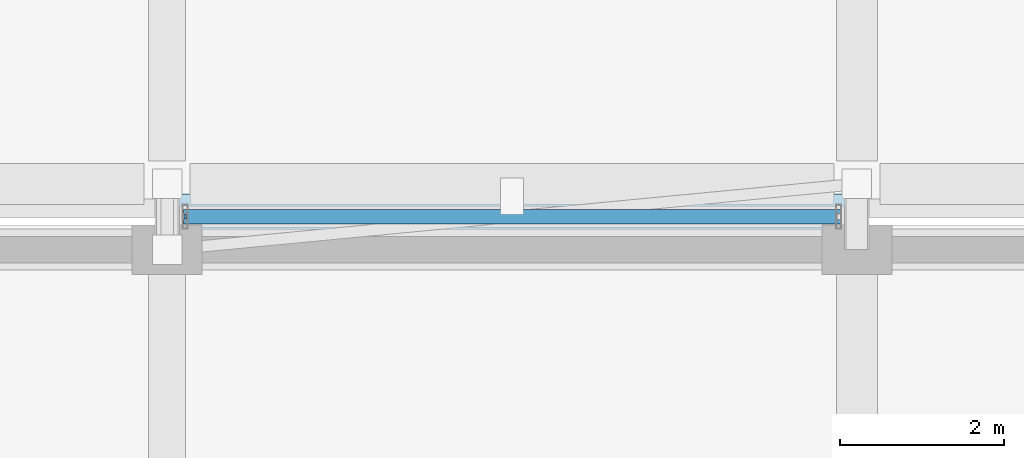
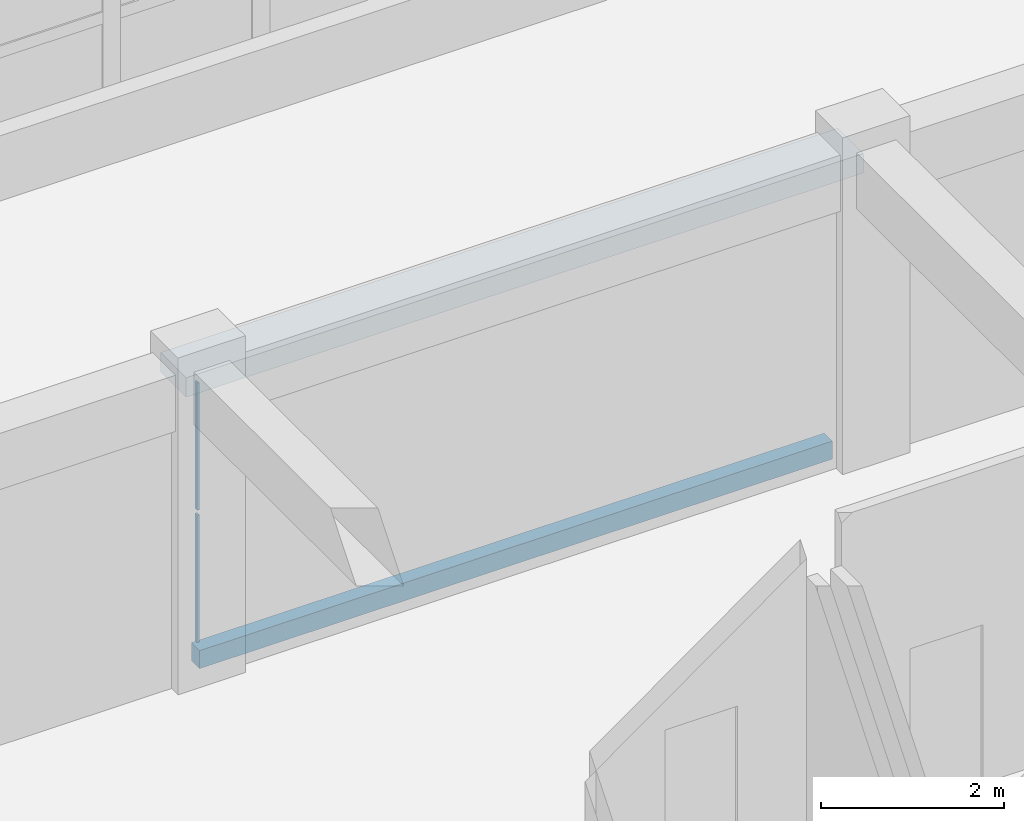
# One storey, part 85 of 129: 2 plates, 2 slabs, 1 element without a shape of its own.
"""IFC4 building model written with IfcOpenShell, lengths in metres."""

import ifcopenshell
import ifcopenshell.guid

model = None  # the IFC model being written
_history = None  # IfcOwnerHistory: only IFC2X3 demands one
_inside = {}  # id of a spatial element -> (the spatial element, [elements in it])
_under = {}  # id of a project, library or spatial element -> (it, [spatial elements below it])
_declared = {}  # id of a project -> (the project, [libraries it declares])
_typed = {}  # id of a type object -> (the type object, [elements of that type])
_made_of = {}  # id of a material, layer set ... -> (it, [elements and type objects made of it])


def new_model(schema):
    """Start an empty IFC model of exactly this schema.

    Asked for "IFC4X3", IfcOpenShell would pick the latest addendum, in which some entities
    have other attributes; the version numbers below select the first issue.
    IFC2X3 requires an IfcOwnerHistory on every rooted entity: one is made here for all.
    """
    global model, _history
    if schema == "IFC4X3":
        model = ifcopenshell.file(schema_version=(4, 3, 0, 0))
    else:
        model = ifcopenshell.file(schema=schema)
    _inside.clear()
    _under.clear()
    _declared.clear()
    _typed.clear()
    _made_of.clear()
    _history = None
    if model.schema == "IFC2X3":
        org = make("IfcOrganization", Name="unknown")
        user = make(
            "IfcPersonAndOrganization",
            ThePerson=make("IfcPerson", FamilyName="unknown"),
            TheOrganization=org,
        )
        app = make(
            "IfcApplication",
            ApplicationDeveloper=org,
            Version="unknown",
            ApplicationFullName="unknown",
            ApplicationIdentifier="unknown",
        )
        _history = make(
            "IfcOwnerHistory",
            OwningUser=user,
            OwningApplication=app,
            ChangeAction="ADDED",
            CreationDate=0,
        )
    return model


def make(cls, **values):
    """One entity of the class cls with the attributes given. An attribute that is None is left unset."""
    return model.create_entity(
        cls, **{name: value for name, value in values.items() if value is not None}
    )


def rooted(cls, **values):
    """An entity with a GlobalId (a new one), such as an element, a storey or a relation."""
    return make(cls, GlobalId=ifcopenshell.guid.new(), OwnerHistory=_history, **values)


def si_unit(unit_type, name, prefix=None):
    """IfcSIUnit, for example si_unit("LENGTHUNIT", "METRE", prefix="MILLI")."""
    return make("IfcSIUnit", UnitType=unit_type, Prefix=prefix, Name=name)


def assignment(units):
    """IfcUnitAssignment: the units of a project."""
    return None if units is None else make("IfcUnitAssignment", Units=units)


def point(xyz):
    """IfcCartesianPoint."""
    return None if xyz is None else make("IfcCartesianPoint", Coordinates=xyz)


def direction(xyz):
    """IfcDirection."""
    return None if xyz is None else make("IfcDirection", DirectionRatios=xyz)


def frame(location, z_axis=None, x_axis=None):
    """IfcAxis2Placement3D, a coordinate frame: its origin and axes. An axis left out is left unset."""
    return make(
        "IfcAxis2Placement3D",
        Location=point(location),
        Axis=direction(z_axis),
        RefDirection=direction(x_axis),
    )


def frame_2d(location, x_axis=None):
    """IfcAxis2Placement2D, a coordinate frame in the plane: its origin and x axis."""
    return make(
        "IfcAxis2Placement2D", Location=point(location), RefDirection=direction(x_axis)
    )


def origin():
    """The frame at (0, 0, 0) with its axes left unset."""
    return frame((0.0, 0.0, 0.0))


def origin_2d():
    """The frame at (0, 0) in the plane with its x axis left unset."""
    return frame_2d((0.0, 0.0))


def place(relative_to, where):
    """IfcLocalPlacement: puts the frame where relative to a parent placement (None: the world)."""
    return make(
        "IfcLocalPlacement", PlacementRelTo=relative_to, RelativePlacement=where
    )


def context(
    kind, dimensions, precision=None, world=None, true_north=None, identifier=None
):
    """IfcGeometricRepresentationContext, for example the 3D "Model" context."""
    return make(
        "IfcGeometricRepresentationContext",
        ContextIdentifier=identifier,
        ContextType=kind,
        CoordinateSpaceDimension=dimensions,
        Precision=precision,
        WorldCoordinateSystem=world,
        TrueNorth=true_north,
    )


def subcontext(parent, identifier, kind, view, scale=None):
    """IfcGeometricRepresentationSubContext, for example "Body" below "Model"."""
    return make(
        "IfcGeometricRepresentationSubContext",
        ContextIdentifier=identifier,
        ContextType=kind,
        ParentContext=parent,
        TargetScale=scale,
        TargetView=view,
    )


def project(units=None, contexts=None):
    """IfcProject with its units and contexts."""
    return rooted(
        "IfcProject",
        Name="project",
        RepresentationContexts=contexts,
        UnitsInContext=assignment(units),
    )


def spatial(cls, under=None, at=None, **own):
    """A site, building, storey or space (cls), placed at a placement, below another one or the project."""
    s = rooted(cls, ObjectPlacement=at, **own)
    if under is not None:
        _under.setdefault(under.id(), (under, []))[1].append(s)
    return s


def polyline(points):
    """IfcPolyline through the points."""
    return make("IfcPolyline", Points=[point(p) for p in points])


def profile(cls, at=None, kind="AREA", **sizes):
    """A parametric profile (cls). Its sizes go by their IFC names, for example OverallWidth=200.0."""
    return make(cls, ProfileType=kind, Position=at, **sizes)


def rectangle(**sizes):
    """IfcRectangleProfileDef."""
    return profile("IfcRectangleProfileDef", **sizes)


def outline(outer, holes=None, kind="AREA"):
    """IfcArbitraryClosedProfileDef: a profile drawn as a closed curve; with holes, ...WithVoids."""
    if holes is None:
        return make("IfcArbitraryClosedProfileDef", ProfileType=kind, OuterCurve=outer)
    return make(
        "IfcArbitraryProfileDefWithVoids",
        ProfileType=kind,
        OuterCurve=outer,
        InnerCurves=holes,
    )


def extrude(swept, where, along, depth):
    """IfcExtrudedAreaSolid: the profile swept, set in the frame where, extruded along a direction by depth."""
    return make(
        "IfcExtrudedAreaSolid",
        SweptArea=swept,
        Position=where,
        ExtrudedDirection=direction(along),
        Depth=depth,
    )


def shape(context_of_items, identifier, shape_type, items):
    """IfcShapeRepresentation: the items that make up one representation, for example the "Body"."""
    return make(
        "IfcShapeRepresentation",
        ContextOfItems=context_of_items,
        RepresentationIdentifier=identifier,
        RepresentationType=shape_type,
        Items=items,
    )


def material(Name=None, Category=None):
    """IfcMaterial."""
    return make("IfcMaterial", Name=Name, Category=Category)


def layer(
    of_material, thickness, ventilated=None, Name=None, Category=None, Priority=None
):
    """IfcMaterialLayer: one layer of a wall or slab, of a material (None: an air gap)."""
    return make(
        "IfcMaterialLayer",
        Material=of_material,
        LayerThickness=thickness,
        IsVentilated=ventilated,
        Name=Name,
        Category=Category,
        Priority=Priority,
    )


def layer_set(layers, Name=None):
    """IfcMaterialLayerSet."""
    return make("IfcMaterialLayerSet", MaterialLayers=layers, LayerSetName=Name)


def made_of(thing, what):
    """Note that an element or type object is made of a material, layer set ...; save() writes the relation."""
    if what is not None:
        _made_of.setdefault(what.id(), (what, []))[1].append(thing)
    return thing


def type_object(cls, material=None, **own):
    """A type object (cls), such as IfcWallType, which elements share."""
    return made_of(rooted(cls, **own), material)


def element(
    cls,
    number,
    at=None,
    inside=None,
    cuts=None,
    type_object=None,
    material=None,
    context=None,
    identifier="Body",
    shape_type=None,
    held_by="IfcProductDefinitionShape",
    body=None,
    shapes=None,
    **own,
):
    """One element of the class cls, such as IfcWall. Its Tag is "e" and its number.

    at: its placement. inside: the storey or other place that contains it. cuts: it is an
    opening in that element (IfcRelVoidsElement). A single representation is given by context,
    identifier, shape_type and body (its items); several are given by shapes. held_by: the class
    of the entity that holds the representations. save() writes the other relations.
    """
    e = rooted(cls, Tag="e%d" % number, ObjectPlacement=at, **own)
    if body is not None:
        shapes = [shape(context, identifier, shape_type, body)]
    if shapes is not None:
        e.Representation = make(held_by, Representations=shapes)
    if inside is not None:
        _inside.setdefault(inside.id(), (inside, []))[1].append(e)
    if cuts is not None:
        rooted(
            "IfcRelVoidsElement", RelatingBuildingElement=cuts, RelatedOpeningElement=e
        )
    if type_object is not None:
        _typed.setdefault(type_object.id(), (type_object, []))[1].append(e)
    return made_of(e, material)


def aggregate(whole, parts):
    """IfcRelAggregates: a whole, such as a stair, and the parts it consists of."""
    return rooted("IfcRelAggregates", RelatingObject=whole, RelatedObjects=parts)


def save(model, path):
    """Write the relations noted so far, then the file.

    IfcRelAggregates (storeys below a building ...), IfcRelContainedInSpatialStructure (elements
    in a storey), IfcRelDefinesByType, IfcRelAssociatesMaterial and IfcRelDeclares: one each for
    every whole, place, type object, material and project.
    """
    for whole, parts in _under.values():
        aggregate(whole, parts)
    for where, things in _inside.values():
        rooted(
            "IfcRelContainedInSpatialStructure",
            RelatedElements=things,
            RelatingStructure=where,
        )
    for kind, things in _typed.values():
        rooted("IfcRelDefinesByType", RelatedObjects=things, RelatingType=kind)
    for what, things in _made_of.values():
        rooted("IfcRelAssociatesMaterial", RelatedObjects=things, RelatingMaterial=what)
    for by, libraries in _declared.values():
        rooted("IfcRelDeclares", RelatingContext=by, RelatedDefinitions=libraries)
    model.write(path)


model = new_model("IFC4")

# Units and contexts
model_context = context("Model", 3, precision=1e-05, world=origin(), true_north=direction((0.0, 1.0)))
body_context = subcontext(model_context, "Body", "Model", "MODEL_VIEW")
ifc_project = project(units=[si_unit("LENGTHUNIT", "METRE"), si_unit("AREAUNIT", "SQUARE_METRE"), si_unit("VOLUMEUNIT", "CUBIC_METRE"), si_unit("PLANEANGLEUNIT", "RADIAN"), si_unit("MASSUNIT", "GRAM", prefix="KILO")], contexts=[model_context])

# Site, building, storey
site_placement = place(None, origin())
site = spatial("IfcSite", under=ifc_project, at=site_placement, CompositionType="ELEMENT")
building_placement = place(site_placement, origin())
building = spatial("IfcBuilding", under=site, at=building_placement, Name="Xazarin Passage Department Store", CompositionType="ELEMENT")
storey_placement = place(building_placement, frame((0.0, 0.0, 9.89990234375)))
storey = spatial("IfcBuildingStorey", under=building, at=storey_placement, Name="L02", CompositionType="ELEMENT", Elevation=9.89990234375)

# Curtain wall, plates
ifc_material_1 = material(Name="Bronze anodised aluminium", Category="aluminium")
ifc_layer_1 = layer(ifc_material_1, 0.14990234375)
ifc_layer_set_1 = layer_set([ifc_layer_1], Name="Bronze anodised aluminium")
curtain_wall_type = type_object("IfcCurtainWallType", Name="ARC-CW-BRG1", PredefinedType="NOTDEFINED", material=ifc_layer_set_1)
curtain_wall_placement = place(storey_placement, origin())
curtain_wall = element("IfcCurtainWall", 1, at=curtain_wall_placement, inside=storey, type_object=curtain_wall_type, Name="L02 BR-V1-V3 Bridge Curtain Wall 1", PredefinedType="NOTDEFINED")
ifc_material_2 = material(Name="Low-E laminated safety glass", Category="glass")
ifc_layer_2 = layer(ifc_material_2, 0.028076171875)
ifc_layer_set_2 = layer_set([ifc_layer_2], Name="Low-E laminated safety glass")
plate_type = type_object("IfcPlateType", Name="ARC-CWP-GLZ28", PredefinedType="CURTAIN_PANEL", material=ifc_layer_set_2)
plate_1_placement = place(storey_placement, frame((25.419921875, 50.800048828125, 0.06494140625), z_axis=(0.0, 0.0, 1.0), x_axis=(0.0, 1.0, 0.0)))
plate_1 = element("IfcPlate", 2, at=plate_1_placement, type_object=plate_type, Name="CW7 panel 1.1", PredefinedType="CURTAIN_PANEL", context=body_context, shape_type="SweptSolid", body=[
    extrude(rectangle(XDim=0.050048828125, YDim=0.028076171875, at=origin_2d()), origin(), (0.0, 0.0, 1.0), 1.702392578125),
])
plate_2_placement = place(storey_placement, frame((25.419921875, 50.800048828125, 1.83251953125), z_axis=(0.0, 0.0, 1.0), x_axis=(0.0, 1.0, 0.0)))
plate_2 = element("IfcPlate", 3, at=plate_2_placement, type_object=plate_type, Name="CW7 panel 1.2", PredefinedType="CURTAIN_PANEL", context=body_context, shape_type="SweptSolid", body=[
    extrude(rectangle(XDim=0.050048828125, YDim=0.028076171875, at=origin_2d()), origin(), (0.0, 0.0, 1.0), 1.702392578125),
])
aggregate(curtain_wall, [plate_1, plate_2])

# Slabs
ifc_material_3 = material(Name="Concrete C35/45", Category="concrete")
ifc_layer_3 = layer(ifc_material_3, 0.239990234375)
ifc_layer_set_3 = layer_set([ifc_layer_3], Name="Concrete C35/45")
slab_type_1 = type_object("IfcSlabType", Name="STR-SLB-BRG240", PredefinedType="FLOOR", material=ifc_layer_set_3)
slab_1_placement = place(storey_placement, frame((0.0, 0.0, -0.239990234375)))
element("IfcSlab", 4, at=slab_1_placement, inside=storey, type_object=slab_type_1, Name="L02 BR-V1-V3 Bridge Floor Deck", PredefinedType="FLOOR", context=body_context, shape_type="SweptSolid", body=[
    extrude(outline(polyline([(25.39990234375, 50.7099609375), (33.39990234375, 50.7099609375), (33.39990234375, 50.889892578125), (25.39990234375, 50.889892578125), (25.39990234375, 50.7099609375)])), origin(), (0.0, 0.0, 1.0), 0.239990234375),
])
ifc_layer_4 = layer(ifc_material_3, 0.260009765625)
ifc_layer_set_4 = layer_set([ifc_layer_4], Name="Concrete C35/45")
slab_type_2 = type_object("IfcSlabType", Name="STR-SLB-RF260", PredefinedType="ROOF", material=ifc_layer_set_4)
slab_2_placement = place(storey_placement, frame((0.0, 0.0, 3.60009765625)))
element("IfcSlab", 5, at=slab_2_placement, inside=storey, type_object=slab_type_2, Name="L02 BR-V1-V3 Bridge Roof Deck", PredefinedType="ROOF", context=body_context, shape_type="SweptSolid", body=[
    extrude(outline(polyline([(25.1201171875, 50.52001953125), (33.679931640625, 50.52001953125), (33.679931640625, 51.080078125), (25.1201171875, 51.080078125), (25.1201171875, 50.52001953125)])), origin(), (0.0, 0.0, 1.0), 0.260009765625),
])

save(model, "model.ifc")
